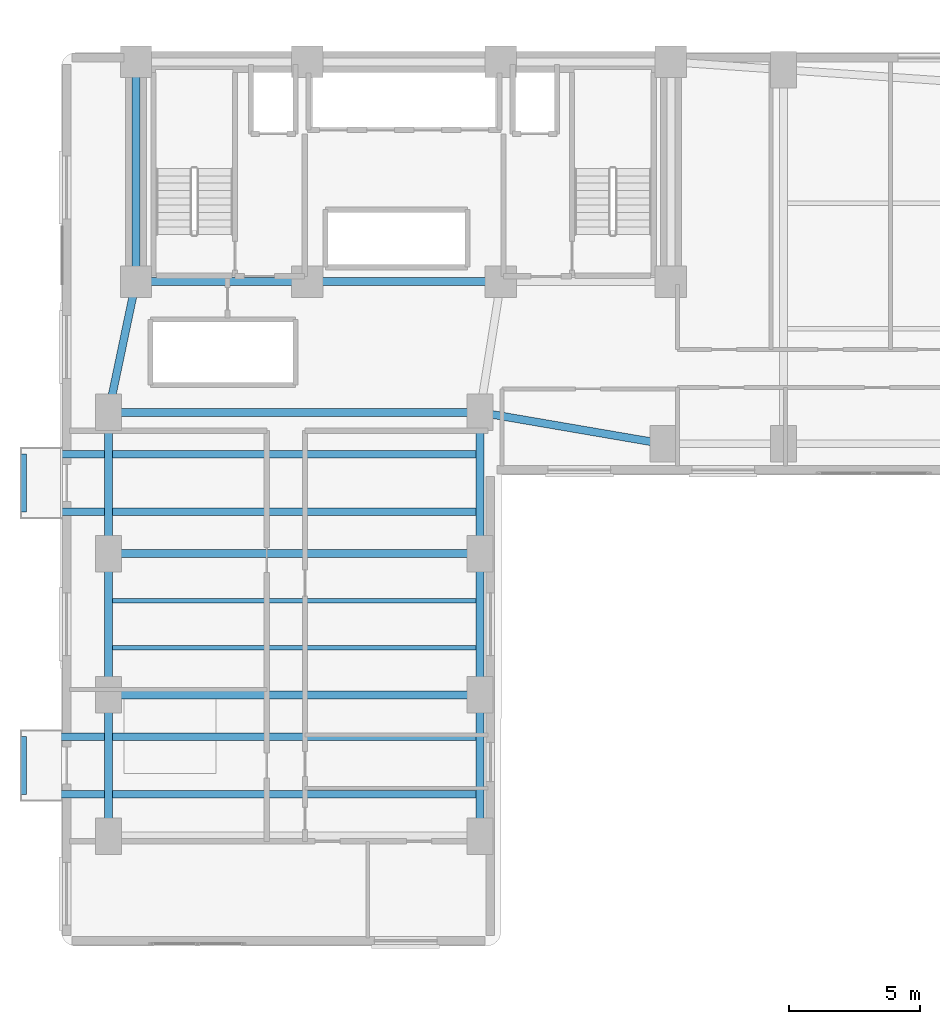
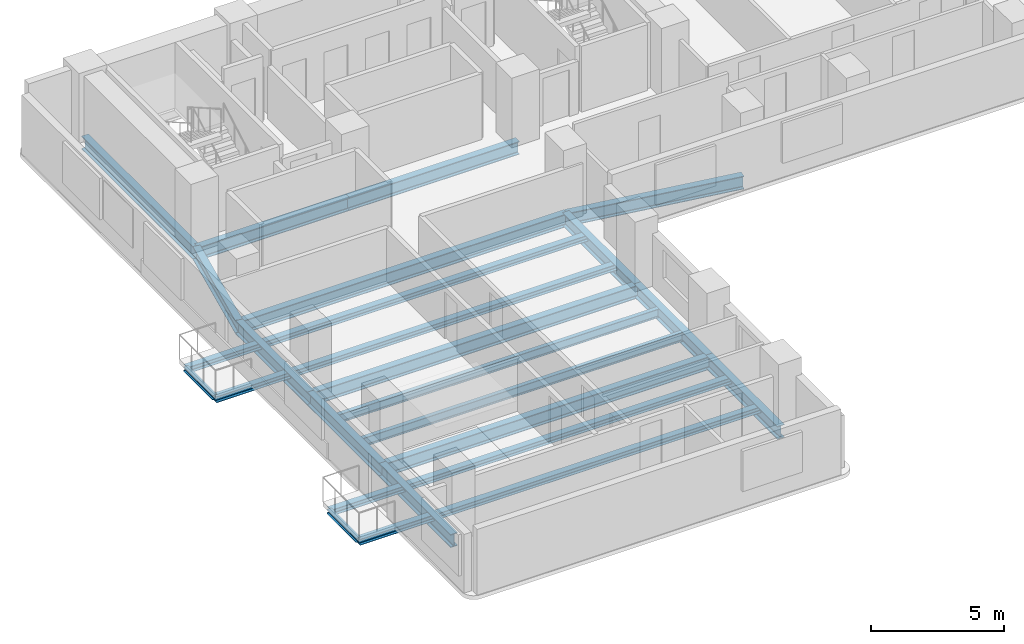
# One storey, part 3 of 16: 22 beams.
"""IFC4 building model written with IfcOpenShell, lengths in metres."""

from ifc_helpers import new_model, si_unit, direction, frame, origin, origin_2d, place, context, subcontext, project, spatial, i_section, extrude, material, material_profile, profile_set, type_object, element, save


model = new_model("IFC4")

# Units and contexts
model_context = context("Model", 3, precision=1e-05, world=origin(), true_north=direction((0.0, 1.0)))
body_context = subcontext(model_context, "Body", "Model", "MODEL_VIEW")
ifc_project = project(units=[si_unit("LENGTHUNIT", "METRE"), si_unit("AREAUNIT", "SQUARE_METRE"), si_unit("VOLUMEUNIT", "CUBIC_METRE"), si_unit("PLANEANGLEUNIT", "RADIAN"), si_unit("MASSUNIT", "GRAM", prefix="KILO")], contexts=[model_context])

# Site, building, storey
site_placement = place(None, origin())
site = spatial("IfcSite", under=ifc_project, at=site_placement, CompositionType="ELEMENT")
building_placement = place(site_placement, origin())
building = spatial("IfcBuilding", under=site, at=building_placement, Name="Kuzgunbayir Cultural Tower", CompositionType="ELEMENT")
storey_placement = place(building_placement, frame((0.0, 0.0, 66.0)))
storey = spatial("IfcBuildingStorey", under=building, at=storey_placement, Name="L18", CompositionType="ELEMENT", Elevation=66.0)

# Beams
ifc_material = material(Name="Steel S355J2", Category="steel")
ifc_material_profile_1 = material_profile(ifc_material, i_section(OverallWidth=0.280029296875, OverallDepth=0.280029296875, WebThickness=0.010498046875, FlangeThickness=0.01806640625, FilletRadius=0.02392578125, at=origin_2d()), Name="HEB 280")
ifc_profile_set_1 = profile_set([ifc_material_profile_1], Name="Steel S355J2")
beam_type_1 = type_object("IfcBeamType", Name="BM-BAL-HEB280", PredefinedType="BEAM", material=ifc_profile_set_1)
for number, where, z_axis, x_axis, name in (
    (1, (2.159912109375, 14.199951171875, -0.340087890625), (1.0, 0.0, 0.0), (0.0, 1.0, 0.0), "L18 Balcony Outrigger Beam BAL-L18-WA1.1"),
    (2, (2.159912109375, 16.39990234375, -0.340087890625), (1.0, 0.0, 0.0), (0.0, 1.0, 0.0), "L18 Balcony Outrigger Beam BAL-L18-WA1.2"),
    (3, (2.159912109375, 25.0, -0.340087890625), (1.0, 0.0, 0.0), (0.0, 1.0, 0.0), "L18 Balcony Outrigger Beam BAL-L18-WA3.1"),
    (4, (2.159912109375, 27.199951171875, -0.340087890625), (1.0, 0.0, 0.0), (0.0, 1.0, 0.0), "L18 Balcony Outrigger Beam BAL-L18-WA3.2"),
):
    element("IfcBeam", number, at=place(storey_placement, frame(where, z_axis=z_axis, x_axis=x_axis)), inside=storey, type_object=beam_type_1, Name=name, PredefinedType="BEAM", context=body_context, shape_type="SweptSolid", body=[
        extrude(i_section(OverallWidth=0.280029296875, OverallDepth=0.280029296875, WebThickness=0.010498046875, FlangeThickness=0.01806640625, FilletRadius=0.02392578125, at=origin_2d()), origin(), (0.0, 0.0, 1.0), 17.440185546875),
    ])
ifc_material_profile_2 = material_profile(ifc_material, i_section(OverallWidth=0.199951171875, OverallDepth=0.199951171875, WebThickness=0.009033203125, FlangeThickness=0.014892578125, FilletRadius=0.01806640625, at=origin_2d()), Name="HEB 200")
ifc_profile_set_2 = profile_set([ifc_material_profile_2], Name="Steel S355J2")
beam_type_2 = type_object("IfcBeamType", Name="BM-CAN-HEB200", PredefinedType="BEAM", material=ifc_profile_set_2)
for number, where, z_axis, x_axis, name in (
    (5, (2.159912109375, 14.199951171875, -0.300048828125), (0.0, 1.0, 0.0), (-1.0, 0.0, 0.0), "L18 Balcony Edge Header BAL-L18-WA1"),
    (6, (2.159912109375, 25.0, -0.300048828125), (0.0, 1.0, 0.0), (-1.0, 0.0, 0.0), "L18 Balcony Edge Header BAL-L18-WA3"),
):
    element("IfcBeam", number, at=place(storey_placement, frame(where, z_axis=z_axis, x_axis=x_axis)), inside=storey, type_object=beam_type_2, Name=name, PredefinedType="BEAM", context=body_context, shape_type="SweptSolid", body=[
        extrude(i_section(OverallWidth=0.199951171875, OverallDepth=0.199951171875, WebThickness=0.009033203125, FlangeThickness=0.014892578125, FilletRadius=0.01806640625, at=origin_2d()), origin(), (0.0, 0.0, 1.0), 2.199951171875),
    ])
ifc_material_profile_3 = material_profile(ifc_material, i_section(OverallWidth=0.300048828125, OverallDepth=0.60009765625, WebThickness=0.015380859375, FlangeThickness=0.030029296875, FilletRadius=0.027099609375, at=origin_2d()), Name="HEB 600")
ifc_profile_set_3 = profile_set([ifc_material_profile_3], Name="Steel S355J2")
beam_type_3 = type_object("IfcBeamType", Name="BM-EXT-HEB600", PredefinedType="BEAM", material=ifc_profile_set_3)
for number, where, z_axis, x_axis, name in (
    (7, (5.39990234375, 12.60009765625, -0.47998046875), (0.0, 1.0, 0.0), (-1.0, 0.0, 0.0), "L18 Wing A West Girder 1"),
    (8, (19.60009765625, 12.60009765625, -0.47998046875), (0.0, 1.0, 0.0), (-1.0, 0.0, 0.0), "L18 Wing A East Girder 1"),
    (9, (5.39990234375, 18.0, -0.47998046875), (0.0, 1.0, 0.0), (-1.0, 0.0, 0.0), "L18 Wing A West Girder 2"),
    (10, (19.60009765625, 18.0, -0.47998046875), (0.0, 1.0, 0.0), (-1.0, 0.0, 0.0), "L18 Wing A East Girder 2"),
):
    element("IfcBeam", number, at=place(storey_placement, frame(where, z_axis=z_axis, x_axis=x_axis)), inside=storey, type_object=beam_type_3, Name=name, PredefinedType="BEAM", context=body_context, shape_type="SweptSolid", body=[
        extrude(i_section(OverallWidth=0.300048828125, OverallDepth=0.60009765625, WebThickness=0.015380859375, FlangeThickness=0.030029296875, FilletRadius=0.027099609375, at=origin_2d()), origin(), (0.0, 0.0, 1.0), 5.39990234375),
    ])
for number, where, z_axis, x_axis, name in (
    (11, (5.39990234375, 23.39990234375, -0.47998046875), (0.0, 1.0, 0.0), (-1.0, 0.0, 0.0), "L18 Wing A West Girder 3"),
    (12, (19.60009765625, 23.39990234375, -0.47998046875), (0.0, 1.0, 0.0), (-1.0, 0.0, 0.0), "L18 Wing A East Girder 3"),
):
    element("IfcBeam", number, at=place(storey_placement, frame(where, z_axis=z_axis, x_axis=x_axis)), inside=storey, type_object=beam_type_3, Name=name, PredefinedType="BEAM", context=body_context, shape_type="SweptSolid", body=[
        extrude(i_section(OverallWidth=0.300048828125, OverallDepth=0.60009765625, WebThickness=0.015380859375, FlangeThickness=0.030029296875, FilletRadius=0.027099609375, at=origin_2d()), origin(), (0.0, 0.0, 1.0), 5.400146484375),
    ])
ifc_material_profile_4 = material_profile(ifc_material, i_section(OverallWidth=0.300048828125, OverallDepth=0.60009765625, WebThickness=0.015380859375, FlangeThickness=0.030029296875, FilletRadius=0.027099609375, at=origin_2d()), Name="HEB 600")
ifc_profile_set_4 = profile_set([ifc_material_profile_4], Name="Steel S355J2")
beam_type_4 = type_object("IfcBeamType", Name="BM-GIR-HEB600", PredefinedType="BEAM", material=ifc_profile_set_4)
beam_1_placement = place(storey_placement, frame((6.449951171875, 33.800048828125, -0.47998046875), z_axis=(1.0, 0.0, 0.0), x_axis=(0.0, 1.0, 0.0)))
element("IfcBeam", 13, at=beam_1_placement, inside=storey, type_object=beam_type_4, Name="L18 Core South Girder 1", PredefinedType="BEAM", context=body_context, shape_type="SweptSolid", body=[
    extrude(i_section(OverallWidth=0.300048828125, OverallDepth=0.60009765625, WebThickness=0.015380859375, FlangeThickness=0.030029296875, FilletRadius=0.027099609375, at=origin_2d()), origin(), (0.0, 0.0, 1.0), 6.550048828125),
])
beam_2_placement = place(storey_placement, frame((13.0, 33.800048828125, -0.47998046875), z_axis=(1.0, 0.0, 0.0), x_axis=(0.0, 1.0, 0.0)))
element("IfcBeam", 14, at=beam_2_placement, inside=storey, type_object=beam_type_4, Name="L18 Core South Girder 2", PredefinedType="BEAM", context=body_context, shape_type="SweptSolid", body=[
    extrude(i_section(OverallWidth=0.300048828125, OverallDepth=0.60009765625, WebThickness=0.015380859375, FlangeThickness=0.030029296875, FilletRadius=0.027099609375, at=origin_2d()), origin(), (0.0, 0.0, 1.0), 7.39990234375),
])
beam_3_placement = place(storey_placement, frame((6.449951171875, 33.800048828125, -0.47998046875), z_axis=(0.0, 1.0, 0.0), x_axis=(-1.0, 0.0, 0.0)))
element("IfcBeam", 15, at=beam_3_placement, inside=storey, type_object=beam_type_4, Name="L18 Core West Edge Girder", PredefinedType="BEAM", context=body_context, shape_type="SweptSolid", body=[
    extrude(i_section(OverallWidth=0.300048828125, OverallDepth=0.60009765625, WebThickness=0.015380859375, FlangeThickness=0.030029296875, FilletRadius=0.027099609375, at=origin_2d()), origin(), (0.0, 0.0, 1.0), 8.39990234375),
])
for number, where, z_axis, x_axis, name in (
    (16, (5.39990234375, 18.0, -0.47998046875), (1.0, 0.0, 0.0), (0.0, 1.0, 0.0), "L18 Wing A Transverse Girder 2"),
    (17, (5.39990234375, 23.39990234375, -0.47998046875), (1.0, 0.0, 0.0), (0.0, 1.0, 0.0), "L18 Wing A Transverse Girder 3"),
    (18, (5.39990234375, 28.800048828125, -0.47998046875), (1.0, 0.0, 0.0), (0.0, 1.0, 0.0), "L18 Wing A Transverse Girder 4"),
):
    element("IfcBeam", number, at=place(storey_placement, frame(where, z_axis=z_axis, x_axis=x_axis)), inside=storey, type_object=beam_type_4, Name=name, PredefinedType="BEAM", context=body_context, shape_type="SweptSolid", body=[
        extrude(i_section(OverallWidth=0.300048828125, OverallDepth=0.60009765625, WebThickness=0.015380859375, FlangeThickness=0.030029296875, FilletRadius=0.027099609375, at=origin_2d()), origin(), (0.0, 0.0, 1.0), 14.2001953125),
    ])
beam_4_placement = place(storey_placement, frame((5.39990234375, 28.800048828125, -0.47998046875), z_axis=(0.205526387753, 0.978651574329, 0.0), x_axis=(-0.978651574329, 0.205526387753, 0.0)))
element("IfcBeam", 19, at=beam_4_placement, inside=storey, type_object=beam_type_4, Name="L18 Wing A West Core Floor Girder", PredefinedType="BEAM", context=body_context, shape_type="SweptSolid", body=[
    extrude(i_section(OverallWidth=0.300048828125, OverallDepth=0.60009765625, WebThickness=0.015380859375, FlangeThickness=0.030029296875, FilletRadius=0.027099609375, at=origin_2d()), origin(), (0.0, 0.0, 1.0), 5.109130859375),
])
beam_5_placement = place(storey_placement, frame((19.60009765625, 28.800048828125, -0.47998046875), z_axis=(0.985623399742, -0.168957136221, 0.0), x_axis=(0.168957136221, 0.985623399742, 0.0)))
element("IfcBeam", 20, at=beam_5_placement, inside=storey, type_object=beam_type_4, Name="L18 Wing B Waist Tie Girder", PredefinedType="BEAM", context=body_context, shape_type="SweptSolid", body=[
    extrude(i_section(OverallWidth=0.300048828125, OverallDepth=0.60009765625, WebThickness=0.015380859375, FlangeThickness=0.030029296875, FilletRadius=0.027099609375, at=origin_2d()), origin(), (0.0, 0.0, 1.0), 7.10205078125),
])
ifc_material_profile_5 = material_profile(ifc_material, i_section(OverallWidth=0.179931640625, OverallDepth=0.39990234375, WebThickness=0.008544921875, FlangeThickness=0.013427734375, FilletRadius=0.02099609375, at=origin_2d()), Name="IPE 400")
ifc_profile_set_5 = profile_set([ifc_material_profile_5], Name="Steel S355J2")
beam_type_5 = type_object("IfcBeamType", Name="BM-JST-IPE400", PredefinedType="JOIST", material=ifc_profile_set_5)
for number, where, z_axis, x_axis, name in (
    (21, (5.550048828125, 19.800048828125, -0.3798828125), (1.0, 0.0, 0.0), (0.0, 1.0, 0.0), "L18 Wing A Secondary Joist 3"),
    (22, (5.550048828125, 21.60009765625, -0.3798828125), (1.0, 0.0, 0.0), (0.0, 1.0, 0.0), "L18 Wing A Secondary Joist 4"),
):
    element("IfcBeam", number, at=place(storey_placement, frame(where, z_axis=z_axis, x_axis=x_axis)), inside=storey, type_object=beam_type_5, Name=name, PredefinedType="JOIST", context=body_context, shape_type="SweptSolid", body=[
        extrude(i_section(OverallWidth=0.179931640625, OverallDepth=0.39990234375, WebThickness=0.008544921875, FlangeThickness=0.013427734375, FilletRadius=0.02099609375, at=origin_2d()), origin(), (0.0, 0.0, 1.0), 13.89990234375),
    ])

save(model, "model.ifc")
